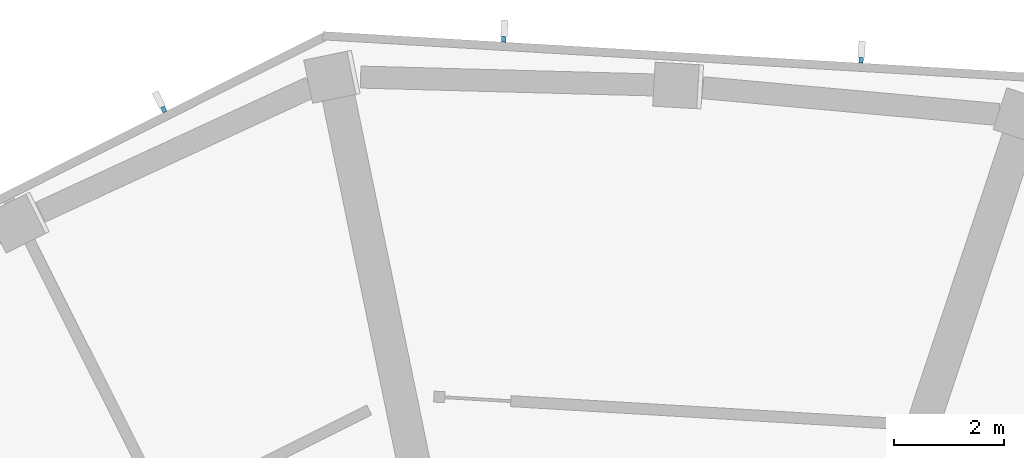
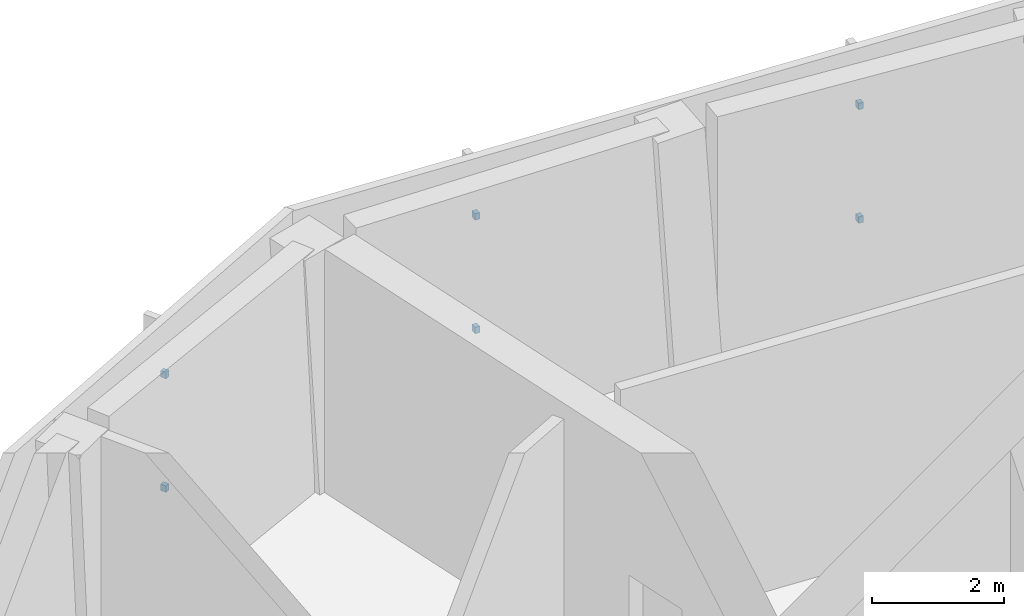
# One storey, part 9 of 16: 6 discrete accessories.
"""IFC4 building model written with IfcOpenShell, lengths in metres."""

from ifc_helpers import new_model, si_unit, direction, frame, origin, origin_2d, place, context, subcontext, project, spatial, rectangle, extrude, element, save


model = new_model("IFC4")

# Units and contexts
model_context = context("Model", 3, precision=1e-05, world=origin(), true_north=direction((0.0, 1.0)))
body_context = subcontext(model_context, "Body", "Model", "MODEL_VIEW")
ifc_project = project(units=[si_unit("LENGTHUNIT", "METRE"), si_unit("AREAUNIT", "SQUARE_METRE"), si_unit("VOLUMEUNIT", "CUBIC_METRE"), si_unit("PLANEANGLEUNIT", "RADIAN"), si_unit("MASSUNIT", "GRAM", prefix="KILO")], contexts=[model_context])

# Site, building, storey
site_placement = place(None, origin())
site = spatial("IfcSite", under=ifc_project, at=site_placement, CompositionType="ELEMENT")
building_placement = place(site_placement, origin())
building = spatial("IfcBuilding", under=site, at=building_placement, Name="Verdalira Terraces Hotel", CompositionType="ELEMENT")
storey_placement = place(building_placement, frame((0.0, 0.0, 263.0)))
storey = spatial("IfcBuildingStorey", under=building, at=storey_placement, Name="L65", CompositionType="ELEMENT", Elevation=263.0)

# Discrete accessories
for number, where, z_axis, x_axis, name in (
    (1, (4.669189, 24.076172, 1.139893), (0.0, 0.0, 1.0), (-0.998280988, 0.058609456, 0.0), "Fin bracket"),
    (2, (4.669189, 24.076172, 3.23999), (0.0, 0.0, 1.0), (-0.998280988, 0.058609456, 0.0), "Fin bracket"),
    (3, (-1.819824, 24.457031, 1.139893), (0.0, 0.0, 1.0), (-0.998280988, 0.058609456, 0.0), "Fin bracket"),
    (4, (-1.819824, 24.457031, 3.23999), (0.0, 0.0, 1.0), (-0.998280988, 0.058609456, 0.0), "Fin bracket"),
    (5, (-7.994385, 23.185059, 1.139893), (0.0, 0.0, 1.0), (-0.893841424, -0.448383216, 0.0), "Fin bracket"),
    (6, (-7.994385, 23.185059, 3.23999), (0.0, 0.0, 1.0), (-0.893841424, -0.448383216, 0.0), "Fin bracket"),
):
    element("IfcDiscreteAccessory", number, at=place(storey_placement, frame(where, z_axis=z_axis, x_axis=x_axis)), inside=storey, Name=name, PredefinedType="BRACKET", context=body_context, shape_type="SweptSolid", body=[
        extrude(rectangle(XDim=0.080078, YDim=0.100098, at=origin_2d()), origin(), (0.0, 0.0, 1.0), 0.120117),
    ])

save(model, "model.ifc")
